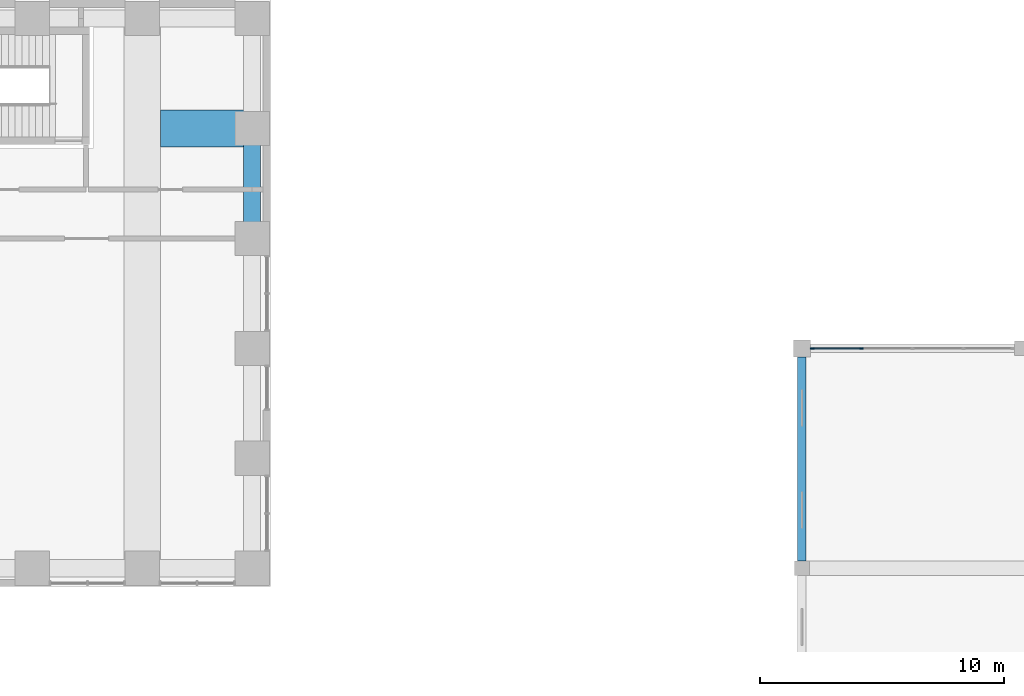
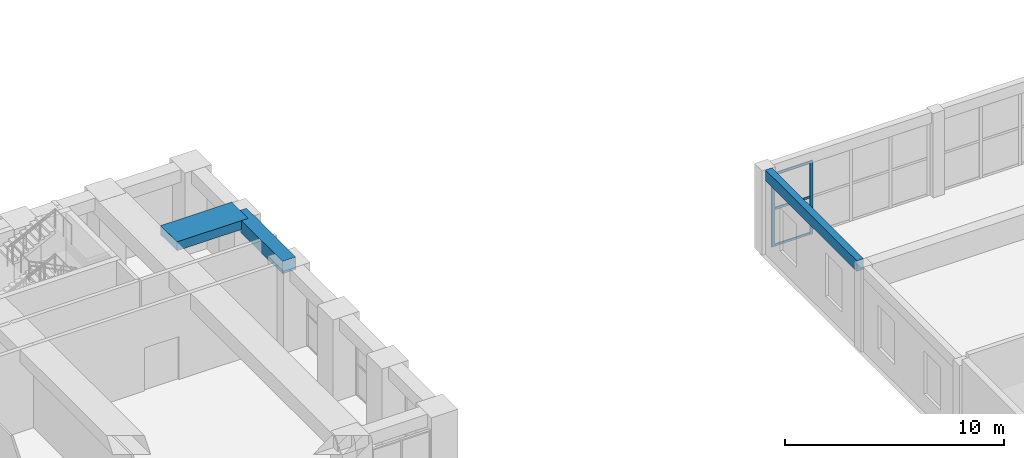
# One storey, part 9 of 30: 5 members, 3 beams, 1 element without a shape of its own.
"""IFC4 building model written with IfcOpenShell, lengths in metres."""

from ifc_helpers import new_model, si_unit, direction, frame, origin, origin_2d, place, context, subcontext, project, spatial, rectangle, extrude, material, material_profile, profile_set, type_object, element, aggregate, save


model = new_model("IFC4")

# Units and contexts
model_context = context("Model", 3, precision=1e-05, world=origin(), true_north=direction((0.0, 1.0)))
body_context = subcontext(model_context, "Body", "Model", "MODEL_VIEW")
ifc_project = project(units=[si_unit("LENGTHUNIT", "METRE"), si_unit("AREAUNIT", "SQUARE_METRE"), si_unit("VOLUMEUNIT", "CUBIC_METRE"), si_unit("PLANEANGLEUNIT", "RADIAN"), si_unit("MASSUNIT", "GRAM", prefix="KILO")], contexts=[model_context])

# Site, building, storey
site_placement = place(None, origin())
site = spatial("IfcSite", under=ifc_project, at=site_placement, CompositionType="ELEMENT")
building_placement = place(site_placement, origin())
building = spatial("IfcBuilding", under=site, at=building_placement, Name="Firuza Court", CompositionType="ELEMENT")
storey_placement = place(building_placement, frame((0.0, 0.0, 9.0)))
storey = spatial("IfcBuildingStorey", under=building, at=storey_placement, Name="L01", CompositionType="ELEMENT", Elevation=9.0)

# Beam
ifc_material_1 = material(Name="Concrete C40/50", Category="concrete")
ifc_material_profile_1 = material_profile(ifc_material_1, rectangle(XDim=1.5, YDim=0.5, at=origin_2d()), Name="RC 1500x500")
ifc_profile_set_1 = profile_set([ifc_material_profile_1], Name="Concrete C40/50")
beam_type_1 = type_object("IfcBeamType", Name="Band beam RC 1500x500 C40/50", PredefinedType="BEAM", material=ifc_profile_set_1)
beam_1_placement = place(storey_placement, frame((67.5, 54.0, 4.35009765625), z_axis=(-1.0, 0.0, 0.0), x_axis=(0.0, -1.0, 0.0)))
element("IfcBeam", 1, at=beam_1_placement, inside=storey, type_object=beam_type_1, Name="Band beam FB4 level L02", PredefinedType="BEAM", context=body_context, shape_type="SweptSolid", body=[
    extrude(rectangle(XDim=1.5, YDim=0.5, at=origin_2d()), origin(), (0.0, 0.0, 1.0), 3.75),
])

# Curtain wall, members
ifc_material_2 = material(Name="Aluminium", Category="aluminium")
curtain_wall_type = type_object("IfcCurtainWallType", Name="CW6 FOYER CURTAIN WALL", PredefinedType="NOTDEFINED", material=ifc_material_2)
curtain_wall_placement = place(storey_placement, origin())
curtain_wall = element("IfcCurtainWall", 2, at=curtain_wall_placement, inside=storey, type_object=curtain_wall_type, Name="CW6 foyer curtain wall 5", PredefinedType="NOTDEFINED")
ifc_material_3 = material(Name="Aluminium", Category="aluminium")
ifc_material_profile_2 = material_profile(ifc_material_3, rectangle(XDim=0.06005859375, YDim=0.159912109375, at=origin_2d()), Name="MULLION 60X160")
ifc_profile_set_2 = profile_set([ifc_material_profile_2], Name="Aluminium")
member_type_1 = type_object("IfcMemberType", Name="CW6 MULLION 60X160", PredefinedType="MULLION", material=ifc_profile_set_2)
member_1_placement = place(storey_placement, frame((90.429931640625, 45.0, 0.0), z_axis=(0.0, 0.0, 1.0), x_axis=(0.0, 1.0, 0.0)))
member_1 = element("IfcMember", 3, at=member_1_placement, type_object=member_type_1, Name="CW6 mullion 1", PredefinedType="MULLION", context=body_context, shape_type="SweptSolid", body=[
    extrude(rectangle(XDim=0.06005859375, YDim=0.159912109375, at=origin_2d()), origin(), (0.0, 0.0, 1.0), 4.10009765625),
])
member_2_placement = place(storey_placement, frame((92.4375, 45.0, 0.0), z_axis=(0.0, 0.0, 1.0), x_axis=(0.0, 1.0, 0.0)))
member_2 = element("IfcMember", 4, at=member_2_placement, type_object=member_type_1, Name="CW6 mullion 2", PredefinedType="MULLION", context=body_context, shape_type="SweptSolid", body=[
    extrude(rectangle(XDim=0.06005859375, YDim=0.159912109375, at=origin_2d()), origin(), (0.0, 0.0, 1.0), 4.10009765625),
])
ifc_material_4 = material(Name="Aluminium", Category="aluminium")
ifc_material_profile_3 = material_profile(ifc_material_4, rectangle(XDim=0.06005859375, YDim=0.1201171875, at=origin_2d()), Name="TRANSOM 60X120")
ifc_profile_set_3 = profile_set([ifc_material_profile_3], Name="Aluminium")
member_type_2 = type_object("IfcMemberType", Name="CW6 TRANSOM 60X120", PredefinedType="USERDEFINED", material=ifc_profile_set_3)
member_3_placement = place(storey_placement, frame((90.510009765625, 45.0, 0.06005859375), z_axis=(1.0, 0.0, 0.0), x_axis=(0.0, 1.0, 0.0)))
member_3 = element("IfcMember", 5, at=member_3_placement, type_object=member_type_2, Name="CW6 transom 1.1", ObjectType="TRANSOM", PredefinedType="USERDEFINED", context=body_context, shape_type="SweptSolid", body=[
    extrude(rectangle(XDim=0.06005859375, YDim=0.1201171875, at=origin_2d()), origin(), (0.0, 0.0, 1.0), 1.847412109375),
])
member_4_placement = place(storey_placement, frame((90.510009765625, 45.0, 2.10009765625), z_axis=(1.0, 0.0, 0.0), x_axis=(0.0, 1.0, 0.0)))
member_4 = element("IfcMember", 6, at=member_4_placement, type_object=member_type_2, Name="CW6 transom 1.2", ObjectType="TRANSOM", PredefinedType="USERDEFINED", context=body_context, shape_type="SweptSolid", body=[
    extrude(rectangle(XDim=0.06005859375, YDim=0.1201171875, at=origin_2d()), origin(), (0.0, 0.0, 1.0), 1.847412109375),
])
member_5_placement = place(storey_placement, frame((90.510009765625, 45.0, 4.0400390625), z_axis=(1.0, 0.0, 0.0), x_axis=(0.0, 1.0, 0.0)))
member_5 = element("IfcMember", 7, at=member_5_placement, type_object=member_type_2, Name="CW6 transom 1.3", ObjectType="TRANSOM", PredefinedType="USERDEFINED", context=body_context, shape_type="SweptSolid", body=[
    extrude(rectangle(XDim=0.06005859375, YDim=0.1201171875, at=origin_2d()), origin(), (0.0, 0.0, 1.0), 1.847412109375),
])
aggregate(curtain_wall, [member_1, member_2, member_3, member_4, member_5])

# Beams
ifc_material_5 = material(Name="Concrete C40/50", Category="concrete")
ifc_material_profile_4 = material_profile(ifc_material_5, rectangle(XDim=0.35009765625, YDim=0.60009765625, at=origin_2d()), Name="RC 350X600")
ifc_profile_set_4 = profile_set([ifc_material_profile_4], Name="Concrete C40/50")
beam_type_2 = type_object("IfcBeamType", Name="RC RING BEAM 350X600", PredefinedType="BEAM", material=ifc_profile_set_4)
beam_2_placement = place(storey_placement, frame((90.0, 36.300048828125, 4.39990234375), z_axis=(0.0, 1.0, 0.0), x_axis=(-1.0, 0.0, 0.0)))
element("IfcBeam", 8, at=beam_2_placement, inside=storey, type_object=beam_type_2, Name="Edge beam W4.1 L01", PredefinedType="BEAM", context=body_context, shape_type="SweptSolid", body=[
    extrude(rectangle(XDim=0.35009765625, YDim=0.60009765625, at=origin_2d()), origin(), (0.0, 0.0, 1.0), 8.349853515625),
])
ifc_material_6 = material(Name="Concrete C40/50", Category="concrete")
ifc_material_profile_5 = material_profile(ifc_material_6, rectangle(XDim=0.699951171875, YDim=0.699951171875, at=origin_2d()), Name="RC 700x700")
ifc_profile_set_5 = profile_set([ifc_material_profile_5], Name="Concrete C40/50")
beam_type_3 = type_object("IfcBeamType", Name="Spandrel beam RC 700x700 C40/50", PredefinedType="BEAM", material=ifc_profile_set_5)
beam_3_placement = place(storey_placement, frame((67.5, 49.5, 4.25), z_axis=(0.0, 1.0, 0.0), x_axis=(-1.0, 0.0, 0.0)))
element("IfcBeam", 9, at=beam_3_placement, inside=storey, type_object=beam_type_3, Name="Spandrel beam SP8 level L02", PredefinedType="BEAM", context=body_context, shape_type="SweptSolid", body=[
    extrude(rectangle(XDim=0.699951171875, YDim=0.699951171875, at=origin_2d()), origin(), (0.0, 0.0, 1.0), 4.5),
])

save(model, "model.ifc")
